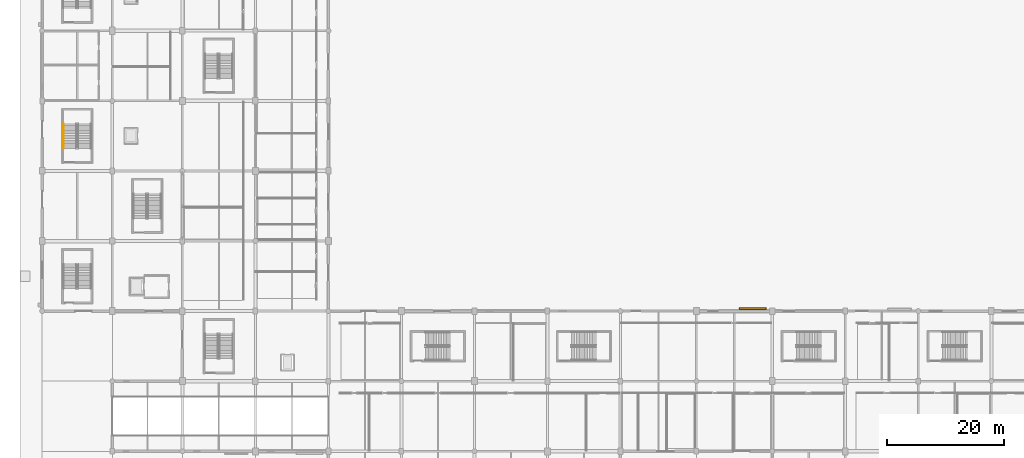
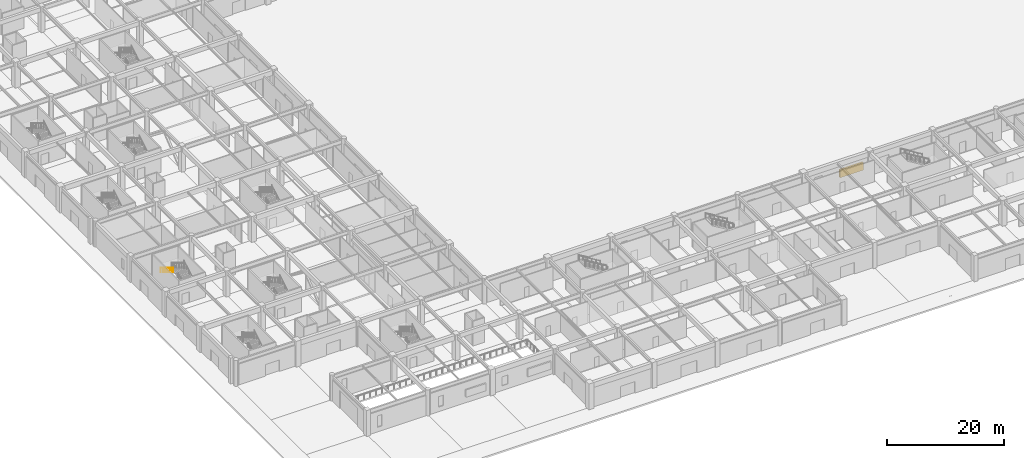
# One storey, part 45 of 69: 1 railing, 1 shading device.
"""IFC4 building model written with IfcOpenShell, lengths in metres."""

from ifc_helpers import new_model, si_unit, direction, frame, origin, origin_2d, place, context, subcontext, project, spatial, rectangle, circle, extrude, material, layer, layer_set, type_object, element, save


model = new_model("IFC4")

# Units and contexts
model_context = context("Model", 3, precision=1e-05, world=origin(), true_north=direction((0.0, 1.0)))
body_context = subcontext(model_context, "Body", "Model", "MODEL_VIEW")
ifc_project = project(units=[si_unit("LENGTHUNIT", "METRE"), si_unit("AREAUNIT", "SQUARE_METRE"), si_unit("VOLUMEUNIT", "CUBIC_METRE"), si_unit("PLANEANGLEUNIT", "RADIAN"), si_unit("MASSUNIT", "GRAM", prefix="KILO")], contexts=[model_context])

# Site, building, storey
site_placement = place(None, origin())
site = spatial("IfcSite", under=ifc_project, at=site_placement, CompositionType="ELEMENT")
building_placement = place(site_placement, origin())
building = spatial("IfcBuilding", under=site, at=building_placement, Name="Kazenohara Klinker Stadium", CompositionType="ELEMENT")
storey_placement = place(building_placement, origin())
storey = spatial("IfcBuildingStorey", under=building, at=storey_placement, Name="L00", CompositionType="ELEMENT", Elevation=0.0)

# Railing
ifc_material_1 = material(Name="Brushed stainless steel 304 handrail", Category="steel")
ifc_layer = layer(ifc_material_1, 0.050048828125)
ifc_layer_set = layer_set([ifc_layer], Name="Brushed stainless steel 304 handrail")
railing_type = type_object("IfcRailingType", Name="RL-HND-900", PredefinedType="HANDRAIL", material=ifc_layer_set)
railing_placement = place(storey_placement, frame((3.639892578125, 68.050048828125, 2.86865234375)))
element("IfcRailing", 1, at=railing_placement, inside=storey, type_object=railing_type, Name="L00 ST02 stair handrail 2", PredefinedType="HANDRAIL", context=body_context, shape_type="SweptSolid", body=[
    extrude(circle(Radius=0.02392578125, at=origin_2d()), frame((0.0, 0.0, 0.8759765625), z_axis=(0.0, -0.856476492594, 0.516186030065), x_axis=(1.0, 0.0, 0.0)), (0.0, 0.0, 1.0), 4.90380859375),
    extrude(circle(Radius=0.02099609375, at=origin_2d()), origin(), (0.0, 0.0, 1.0), 0.851806640625),
    extrude(circle(Radius=0.02099609375, at=origin_2d()), frame((0.0, -0.840087890625, 0.50634765625)), (0.0, 0.0, 1.0), 0.851806640625),
    extrude(circle(Radius=0.02099609375, at=origin_2d()), frame((0.0, -1.679931640625, 1.012451171875)), (0.0, 0.0, 1.0), 0.851806640625),
    extrude(circle(Radius=0.02099609375, at=origin_2d()), frame((0.0, -2.52001953125, 1.518798828125)), (0.0, 0.0, 1.0), 0.851806640625),
    extrude(circle(Radius=0.02099609375, at=origin_2d()), frame((0.0, -3.35986328125, 2.02490234375)), (0.0, 0.0, 1.0), 0.851806640625),
    extrude(circle(Radius=0.02099609375, at=origin_2d()), frame((0.0, -4.199951171875, 2.53125)), (0.0, 0.0, 1.0), 0.851806640625),
])

# Shading device
ifc_material_2 = material(Name="Perforated clinker-brick and bronze louvre grille", Category="masonry")
shading_device_type = type_object("IfcShadingDeviceType", Name="SHD-LOUV-03", PredefinedType="JALOUSIE", material=ifc_material_2)
shading_device_placement = place(storey_placement, frame((121.656005859375, 36.3798828125, 1.300048828125), z_axis=(0.0, 0.0, 1.0), x_axis=(1.0, 0.0, 0.0)))
element("IfcShadingDevice", 2, at=shading_device_placement, inside=storey, type_object=shading_device_type, Name="Perforated clinker-brick louvre screen LV03-05", PredefinedType="JALOUSIE", context=body_context, shape_type="SweptSolid", body=[
    extrude(rectangle(XDim=4.60009765625, YDim=0.320068359375, at=origin_2d()), origin(), (0.0, 0.0, 1.0), 1.60009765625),
])

save(model, "model.ifc")
